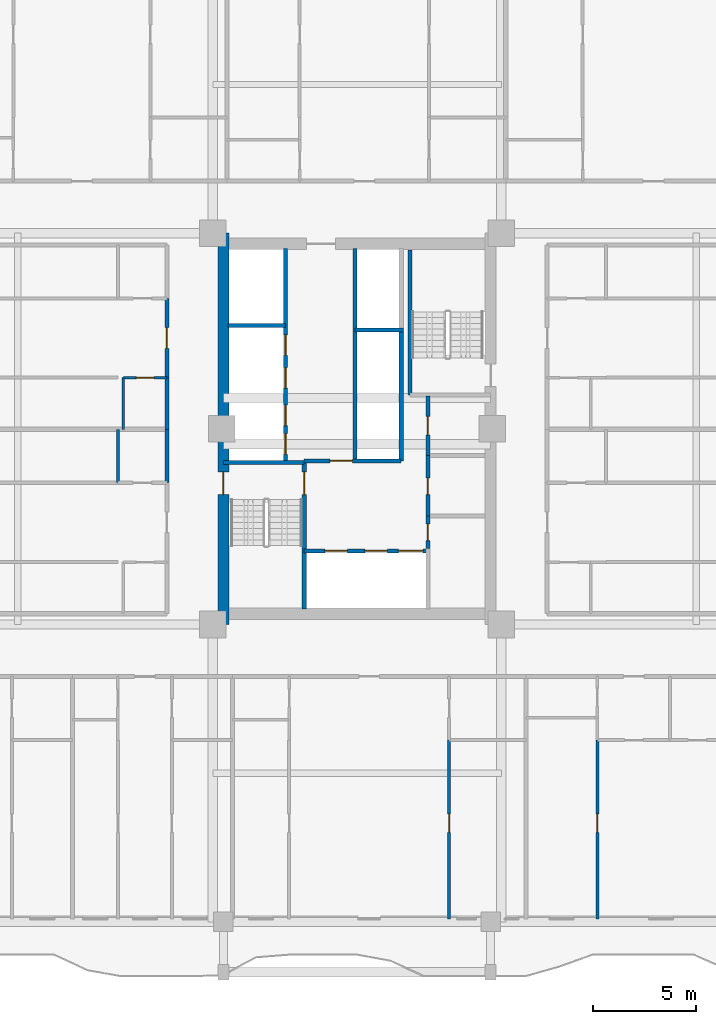
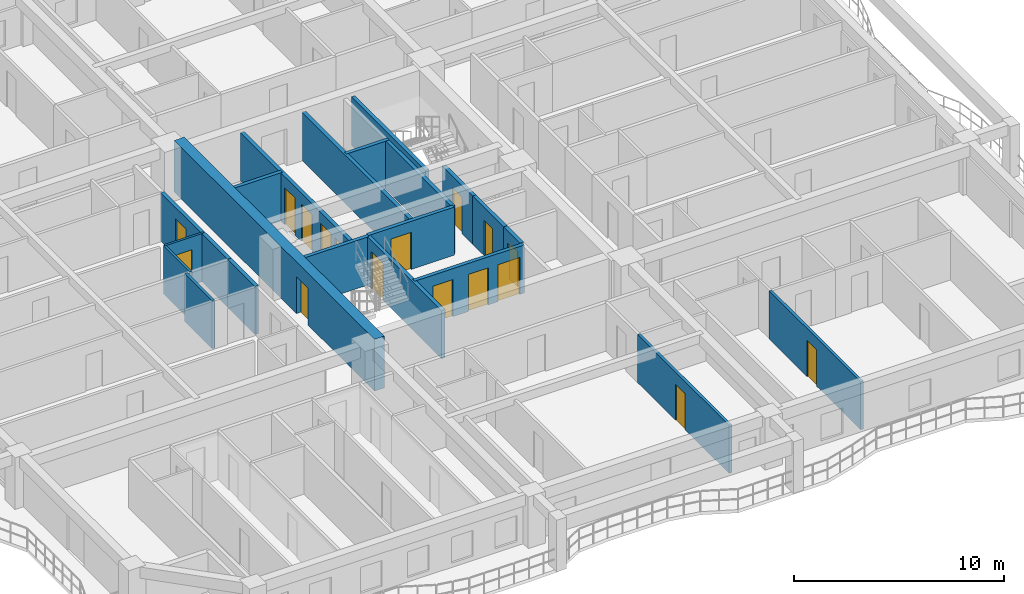
# One storey, part 4 of 15: 22 walls, 17 doors, 17 openings.
"""IFC4 building model written with IfcOpenShell, lengths in metres."""

from ifc_helpers import new_model, si_unit, direction, frame, frame_2d, origin, place, context, subcontext, project, spatial, rectangle, extrude, source, transform, mapped, material, layer, layer_set, type_object, element, fill, save


model = new_model("IFC4")

# Units and contexts
model_context = context("Model", 3, precision=1e-05, world=origin(), true_north=direction((0.0, 1.0)))
body_context = subcontext(model_context, "Body", "Model", "MODEL_VIEW")
ifc_project = project(units=[si_unit("LENGTHUNIT", "METRE"), si_unit("AREAUNIT", "SQUARE_METRE"), si_unit("VOLUMEUNIT", "CUBIC_METRE"), si_unit("PLANEANGLEUNIT", "RADIAN"), si_unit("MASSUNIT", "GRAM", prefix="KILO")], contexts=[model_context])

# Site, building, storey
site_placement = place(None, origin())
site = spatial("IfcSite", under=ifc_project, at=site_placement, CompositionType="ELEMENT")
building_placement = place(site_placement, origin())
building = spatial("IfcBuilding", under=site, at=building_placement, Name="Saelheon Loggia Tower", CompositionType="ELEMENT")
storey_placement = place(building_placement, frame((0.0, 0.0, 77.85009765625)))
storey = spatial("IfcBuildingStorey", under=building, at=storey_placement, Name="L24", CompositionType="ELEMENT", Elevation=77.85009765625)

# Wall, opening, door
ifc_material_1 = material(Name="Concrete C50/60", Category="concrete")
ifc_layer_1 = layer(ifc_material_1, 0.550048828125)
ifc_layer_set_1 = layer_set([ifc_layer_1], Name="Concrete C50/60")
wall_type_1 = type_object("IfcWallType", Name="Wall_CoreShear_550", PredefinedType="SHEAR", material=ifc_layer_set_1)
wall_1_placement = place(storey_placement, frame((31.5, 17.47998046875, 0.0), z_axis=(0.0, 0.0, 1.0), x_axis=(0.0, 1.0, 0.0)))
wall_1 = element("IfcWall", 1, at=wall_1_placement, inside=storey, type_object=wall_type_1, Name="L24 Core Shear Wall West", PredefinedType="SHEAR", context=body_context, shape_type="SweptSolid", body=[
    extrude(rectangle(XDim=19.0400390625, YDim=0.550048828125, at=frame_2d((9.52001953125, 0.0))), origin(), (0.0, 0.0, 1.0), 3.0),
])
opening_1_placement = place(wall_1_placement, frame((6.320068359375, 0.0, 0.0)))
opening_1 = element("IfcOpeningElement", 2, at=opening_1_placement, cuts=wall_1, Name="Opening D-FD2", PredefinedType="OPENING", context=body_context, shape_type="SweptSolid", body=[
    extrude(rectangle(XDim=1.10009765625, YDim=2.14990234375, at=frame_2d((0.550048828125, 1.074951171875))), frame((0.0, 0.287109375, 0.0), z_axis=(0.0, -1.0, 0.0), x_axis=(1.0, 0.0, 0.0)), (0.0, 0.0, 1.0), 0.573974609375),
])
ifc_material_2 = material(Name="Galvanised Steel Fire Door", Category="steel")
door_type_1 = type_object("IfcDoorType", Name="Door_Fire_FD60_1100", OperationType="NOTDEFINED", PredefinedType="DOOR", material=ifc_material_2)
shared_shape_1 = source(origin(), body_context, "Body", "SweptSolid", [
    extrude(rectangle(XDim=1.10009765625, YDim=2.14990234375, at=frame_2d((0.550048828125, 1.074951171875))), frame((0.0, 0.02490234375, 0.0), z_axis=(0.0, -1.0, 0.0), x_axis=(1.0, 0.0, 0.0)), (0.0, 0.0, 1.0), 0.050048828125),
])
door_1_placement = place(opening_1_placement, origin())
door_1 = element("IfcDoor", 3, at=door_1_placement, inside=storey, type_object=door_type_1, Name="L24 Stair ST1 Corridor Door", OperationType="SINGLE_SWING_LEFT", OverallHeight=2.14990234375, OverallWidth=1.10009765625, PredefinedType="DOOR", context=body_context, shape_type="MappedRepresentation", body=[
    mapped(shared_shape_1, transform((0.0, 0.0, 0.0), scale=1.0)),
])
fill(opening_1, door_1)

ifc_material_3 = material(Name="Lightweight Autoclaved Aerated Concrete Block and Acoustic Gypsum", Category="concrete")
ifc_layer_2 = layer(ifc_material_3, 0.14990234375)
ifc_layer_set_2 = layer_set([ifc_layer_2], Name="Lightweight Autoclaved Aerated Concrete Block and Acoustic Gypsum")
wall_type_2 = type_object("IfcWallType", Name="Wall_Part_150", PredefinedType="PARTITIONING", material=ifc_layer_set_2)
wall_2_placement = place(storey_placement, frame((42.47998046875, 11.85009765625, 0.0), z_axis=(0.0, 0.0, 1.0), x_axis=(0.0, -1.0, 0.0)))
wall_2 = element("IfcWall", 4, at=wall_2_placement, inside=storey, type_object=wall_type_2, Name="L24 S Partition U34", PredefinedType="PARTITIONING", context=body_context, shape_type="SweptSolid", body=[
    extrude(rectangle(XDim=8.7001953125, YDim=0.14990234375, at=frame_2d((4.35009765625, 0.0))), origin(), (0.0, 0.0, 1.0), 2.789794921875),
])
opening_2_placement = place(wall_2_placement, frame((3.594970703125, 0.0, 0.0)))
opening_2 = element("IfcOpeningElement", 5, at=opening_2_placement, cuts=wall_2, Name="Opening D-IN2", PredefinedType="OPENING", context=body_context, shape_type="SweptSolid", body=[
    extrude(rectangle(XDim=0.89990234375, YDim=2.10009765625, at=frame_2d((0.449951171875, 1.050048828125))), frame((0.0, 0.0869140625, 0.0), z_axis=(0.0, -1.0, 0.0), x_axis=(1.0, 0.0, 0.0)), (0.0, 0.0, 1.0), 0.173828125),
])
ifc_material_4 = material(Name="Engineered Oak Flush Door", Category="timber")
door_type_2 = type_object("IfcDoorType", Name="Door_Int_900", OperationType="NOTDEFINED", PredefinedType="DOOR", material=ifc_material_4)
shared_shape_2 = source(origin(), body_context, "Body", "SweptSolid", [
    extrude(rectangle(XDim=0.89990234375, YDim=2.10009765625, at=frame_2d((0.449951171875, 1.050048828125))), frame((0.0, 0.02490234375, 0.0), z_axis=(0.0, -1.0, 0.0), x_axis=(1.0, 0.0, 0.0)), (0.0, 0.0, 1.0), 0.050048828125),
])
door_2_placement = place(opening_2_placement, origin())
door_2 = element("IfcDoor", 6, at=door_2_placement, inside=storey, type_object=door_type_2, Name="Unit U03 Bedroom 1 Door", OperationType="SINGLE_SWING_RIGHT", OverallHeight=2.10009765625, OverallWidth=0.89990234375, PredefinedType="DOOR", context=body_context, shape_type="MappedRepresentation", body=[
    mapped(shared_shape_2, transform((0.0, 0.0, 0.0), scale=1.0)),
])
fill(opening_2, door_2)

wall_3_placement = place(storey_placement, frame((49.70068359375, 11.85009765625, 0.0), z_axis=(0.0, 0.0, 1.0), x_axis=(0.0, -1.0, 0.0)))
wall_3 = element("IfcWall", 7, at=wall_3_placement, inside=storey, type_object=wall_type_2, Name="L24 S Partition U47", PredefinedType="PARTITIONING", context=body_context, shape_type="SweptSolid", body=[
    extrude(rectangle(XDim=8.7001953125, YDim=0.14990234375, at=frame_2d((4.35009765625, 0.0))), origin(), (0.0, 0.0, 1.0), 2.789794921875),
])
opening_3_placement = place(wall_3_placement, frame((3.594970703125, 0.0, 0.0)))
opening_3 = element("IfcOpeningElement", 8, at=opening_3_placement, cuts=wall_3, Name="Opening D-IN2", PredefinedType="OPENING", context=body_context, shape_type="SweptSolid", body=[
    extrude(rectangle(XDim=0.89990234375, YDim=2.10009765625, at=frame_2d((0.449951171875, 1.050048828125))), frame((0.0, 0.0869140625, 0.0), z_axis=(0.0, -1.0, 0.0), x_axis=(1.0, 0.0, 0.0)), (0.0, 0.0, 1.0), 0.173828125),
])
door_3_placement = place(opening_3_placement, origin())
door_3 = element("IfcDoor", 9, at=door_3_placement, inside=storey, type_object=door_type_2, Name="Unit U04 Bedroom 2 Door", OperationType="SINGLE_SWING_LEFT", OverallHeight=2.10009765625, OverallWidth=0.89990234375, PredefinedType="DOOR", context=body_context, shape_type="MappedRepresentation", body=[
    mapped(shared_shape_2, transform((0.0, 0.0, 0.0), scale=1.0)),
])
fill(opening_3, door_3)

# Walls
wall_4_placement = place(storey_placement, frame((26.3701171875, 24.375, 0.0), z_axis=(0.0, 0.0, 1.0), x_axis=(0.0, 1.0, 0.0)))
element("IfcWall", 10, at=wall_4_placement, inside=storey, type_object=wall_type_2, Name="L24 W Partition V07", PredefinedType="PARTITIONING", context=body_context, shape_type="SweptSolid", body=[
    extrude(rectangle(XDim=2.60009765625, YDim=0.14990234375, at=frame_2d((1.300048828125, 0.0))), origin(), (0.0, 0.0, 1.0), 2.789794921875),
])
ifc_material_5 = material(Name="Double Acoustic Stud and Fireboard Partition", Category="gypsum")
ifc_layer_3 = layer(ifc_material_5, 0.199951171875)
ifc_layer_set_3 = layer_set([ifc_layer_3], Name="Double Acoustic Stud and Fireboard Partition")
wall_type_3 = type_object("IfcWallType", Name="Wall_Party_200", PredefinedType="PARTITIONING", material=ifc_layer_set_3)
wall_5_placement = place(storey_placement, frame((28.75, 24.375, 0.0), z_axis=(0.0, 0.0, 1.0), x_axis=(0.0, 1.0, 0.0)))
element("IfcWall", 11, at=wall_5_placement, inside=storey, type_object=wall_type_3, Name="L24 W Partition V05", PredefinedType="PARTITIONING", context=body_context, shape_type="SweptSolid", body=[
    extrude(rectangle(XDim=2.60009765625, YDim=0.199951171875, at=frame_2d((1.300048828125, 0.0))), origin(), (0.0, 0.0, 1.0), 2.789794921875),
])
wall_6_placement = place(storey_placement, frame((28.75, 26.97509765625, 0.0), z_axis=(0.0, 0.0, 1.0), x_axis=(0.0, 1.0, 0.0)))
element("IfcWall", 12, at=wall_6_placement, inside=storey, type_object=wall_type_3, Name="L24 W Partition V13", PredefinedType="PARTITIONING", context=body_context, shape_type="SweptSolid", body=[
    extrude(rectangle(XDim=2.512939453125, YDim=0.199951171875, at=frame_2d((1.25634765625, 0.0))), origin(), (0.0, 0.0, 1.0), 2.789794921875),
])

# Wall, opening, door
wall_7_placement = place(storey_placement, frame((28.75, 29.488037109375, 0.0), z_axis=(0.0, 0.0, 1.0), x_axis=(0.0, 1.0, 0.0)))
wall_7 = element("IfcWall", 13, at=wall_7_placement, inside=storey, type_object=wall_type_3, Name="L24 W Partition V14", PredefinedType="PARTITIONING", context=body_context, shape_type="SweptSolid", body=[
    extrude(rectangle(XDim=3.862060546875, YDim=0.199951171875, at=frame_2d((1.93115234375, 0.0))), origin(), (0.0, 0.0, 1.0), 2.789794921875),
])
opening_4_placement = place(wall_7_placement, frame((1.430908203125, 0.0, 0.0)))
opening_4 = element("IfcOpeningElement", 14, at=opening_4_placement, cuts=wall_7, Name="Opening D-FD1", PredefinedType="OPENING", context=body_context, shape_type="SweptSolid", body=[
    extrude(rectangle(XDim=1.0, YDim=2.14990234375, at=frame_2d((0.5, 1.074951171875))), frame((0.0, 0.112060546875, 0.0), z_axis=(0.0, -1.0, 0.0), x_axis=(1.0, 0.0, 0.0)), (0.0, 0.0, 1.0), 0.223876953125),
])
ifc_material_6 = material(Name="Fire-Rated Engineered Timber Entrance Door", Category="wood")
door_type_3 = type_object("IfcDoorType", Name="Door_Flat_FD30S", OperationType="NOTDEFINED", PredefinedType="DOOR", material=ifc_material_6)
shared_shape_3 = source(origin(), body_context, "Body", "SweptSolid", [
    extrude(rectangle(XDim=1.0, YDim=2.14990234375, at=frame_2d((0.5, 1.074951171875))), frame((0.0, 0.02490234375, 0.0), z_axis=(0.0, -1.0, 0.0), x_axis=(1.0, 0.0, 0.0)), (0.0, 0.0, 1.0), 0.050048828125),
])
door_4_placement = place(opening_4_placement, origin())
door_4 = element("IfcDoor", 15, at=door_4_placement, inside=storey, type_object=door_type_3, Name="Unit U09 Entrance Door", OperationType="SINGLE_SWING_LEFT", OverallHeight=2.14990234375, OverallWidth=1.0, PredefinedType="DOOR", context=body_context, shape_type="MappedRepresentation", body=[
    mapped(shared_shape_3, transform((0.0, 0.0, 0.0), scale=1.0)),
])
fill(opening_4, door_4)

ifc_material_7 = material(Name="Concrete C40/50", Category="concrete")
ifc_layer_4 = layer(ifc_material_7, 0.199951171875)
ifc_layer_set_4 = layer_set([ifc_layer_4], Name="Concrete C40/50")
wall_type_4 = type_object("IfcWallType", Name="Wall_Shaft_200", PredefinedType="PARTITIONING", material=ifc_layer_set_4)
wall_8_placement = place(storey_placement, frame((41.449951171875, 21.179931640625, 0.0), z_axis=(0.0, 0.0, 1.0), x_axis=(0.0, 1.0, 0.0)))
wall_8 = element("IfcWall", 16, at=wall_8_placement, inside=storey, type_object=wall_type_4, Name="CW-INT-L24-BOH-W1", PredefinedType="PARTITIONING", context=body_context, shape_type="SweptSolid", body=[
    extrude(rectangle(XDim=1.570068359375, YDim=0.199951171875, at=frame_2d((0.78515625, 0.0))), origin(), (0.0, 0.0, 1.0), 2.789794921875),
])
opening_5_placement = place(wall_8_placement, frame((0.3798828125, 0.0, 0.0)))
opening_5 = element("IfcOpeningElement", 17, at=opening_5_placement, cuts=wall_8, Name="Opening D-ST1", PredefinedType="OPENING", context=body_context, shape_type="SweptSolid", body=[
    extrude(rectangle(XDim=0.800048828125, YDim=2.050048828125, at=frame_2d((0.39990234375, 1.02490234375))), frame((0.0, 0.112060546875, 0.0), z_axis=(0.0, -1.0, 0.0), x_axis=(1.0, 0.0, 0.0)), (0.0, 0.0, 1.0), 0.223876953125),
])
ifc_material_8 = material(Name="Powder-Coated Steel Store Door", Category="steel")
door_type_4 = type_object("IfcDoorType", Name="Door_Store_800", OperationType="NOTDEFINED", PredefinedType="DOOR", material=ifc_material_8)
shared_shape_4 = source(origin(), body_context, "Body", "SweptSolid", [
    extrude(rectangle(XDim=0.800048828125, YDim=2.050048828125, at=frame_2d((0.39990234375, 1.02490234375))), frame((0.0, 0.02490234375, 0.0), z_axis=(0.0, -1.0, 0.0), x_axis=(1.0, 0.0, 0.0)), (0.0, 0.0, 1.0), 0.050048828125),
])
door_5_placement = place(opening_5_placement, origin())
door_5 = element("IfcDoor", 18, at=door_5_placement, inside=storey, type_object=door_type_4, Name="L24 Cleaner Store Door", OperationType="SINGLE_SWING_LEFT", OverallHeight=2.050048828125, OverallWidth=0.800048828125, PredefinedType="DOOR", context=body_context, shape_type="MappedRepresentation", body=[
    mapped(shared_shape_4, transform((0.0, 0.0, 0.0), scale=1.0)),
])
fill(opening_5, door_5)

wall_9_placement = place(storey_placement, frame((41.449951171875, 22.75, 0.0), z_axis=(0.0, 0.0, 1.0), x_axis=(0.0, 1.0, 0.0)))
wall_9 = element("IfcWall", 19, at=wall_9_placement, inside=storey, type_object=wall_type_4, Name="CW-INT-L24-BOH-W2", PredefinedType="PARTITIONING", context=body_context, shape_type="SweptSolid", body=[
    extrude(rectangle(XDim=2.949951171875, YDim=0.199951171875, at=frame_2d((1.47509765625, 0.0))), origin(), (0.0, 0.0, 1.0), 2.789794921875),
])
opening_6_placement = place(wall_9_placement, frame((1.050048828125, 0.0, 0.0)))
opening_6 = element("IfcOpeningElement", 20, at=opening_6_placement, cuts=wall_9, Name="Opening D-ST1", PredefinedType="OPENING", context=body_context, shape_type="SweptSolid", body=[
    extrude(rectangle(XDim=0.800048828125, YDim=2.050048828125, at=frame_2d((0.39990234375, 1.02490234375))), frame((0.0, 0.112060546875, 0.0), z_axis=(0.0, -1.0, 0.0), x_axis=(1.0, 0.0, 0.0)), (0.0, 0.0, 1.0), 0.223876953125),
])
door_6_placement = place(opening_6_placement, origin())
door_6 = element("IfcDoor", 21, at=door_6_placement, inside=storey, type_object=door_type_4, Name="L24 Electrical Riser Door", OperationType="SINGLE_SWING_RIGHT", OverallHeight=2.050048828125, OverallWidth=0.800048828125, PredefinedType="DOOR", context=body_context, shape_type="MappedRepresentation", body=[
    mapped(shared_shape_4, transform((0.0, 0.0, 0.0), scale=1.0)),
])
fill(opening_6, door_6)

wall_10_placement = place(storey_placement, frame((41.449951171875, 25.699951171875, 0.0), z_axis=(0.0, 0.0, 1.0), x_axis=(0.0, 1.0, 0.0)))
wall_10 = element("IfcWall", 22, at=wall_10_placement, inside=storey, type_object=wall_type_4, Name="CW-INT-L24-BOH-W3", PredefinedType="PARTITIONING", context=body_context, shape_type="SweptSolid", body=[
    extrude(rectangle(XDim=2.900146484375, YDim=0.199951171875, at=frame_2d((1.4501953125, 0.0))), origin(), (0.0, 0.0, 1.0), 2.789794921875),
])
opening_7_placement = place(wall_10_placement, frame((1.0, 0.0, 0.0)))
opening_7 = element("IfcOpeningElement", 23, at=opening_7_placement, cuts=wall_10, Name="Opening D-RS1", PredefinedType="OPENING", context=body_context, shape_type="SweptSolid", body=[
    extrude(rectangle(XDim=0.89990234375, YDim=2.10009765625, at=frame_2d((0.449951171875, 1.050048828125))), frame((0.0, 0.112060546875, 0.0), z_axis=(0.0, -1.0, 0.0), x_axis=(1.0, 0.0, 0.0)), (0.0, 0.0, 1.0), 0.223876953125),
])
ifc_material_9 = material(Name="Galvanised Steel Riser Access Door", Category="steel")
door_type_5 = type_object("IfcDoorType", Name="Door_Riser_FD60", OperationType="NOTDEFINED", PredefinedType="DOOR", material=ifc_material_9)
door_7_placement = place(opening_7_placement, origin())
door_7 = element("IfcDoor", 24, at=door_7_placement, inside=storey, type_object=door_type_5, Name="L24 Floor IT Room Door", OperationType="SINGLE_SWING_LEFT", OverallHeight=2.10009765625, OverallWidth=0.89990234375, PredefinedType="DOOR", context=body_context, shape_type="MappedRepresentation", body=[
    mapped(shared_shape_2, transform((0.0, 0.0, 0.0), scale=1.0)),
])
fill(opening_7, door_7)

# Wall
wall_11_placement = place(storey_placement, frame((40.14990234375, 25.43994140625, 0.0), z_axis=(0.0, 0.0, 1.0), x_axis=(0.0, 1.0, 0.0)))
element("IfcWall", 25, at=wall_11_placement, inside=storey, type_object=wall_type_4, Name="L24 Core Service Passage West Wall", PredefinedType="PARTITIONING", context=body_context, shape_type="SweptSolid", body=[
    extrude(rectangle(XDim=6.360107421875, YDim=0.199951171875, at=frame_2d((3.18017578125, 0.0))), origin(), (0.0, 0.0, 1.0), 2.789794921875),
])

# Wall, openings, doors
wall_12_placement = place(storey_placement, frame((35.429931640625, 21.06005859375, 0.0), z_axis=(0.0, 0.0, 1.0), x_axis=(1.0, 0.0, 0.0)))
wall_12 = element("IfcWall", 26, at=wall_12_placement, inside=storey, type_object=wall_type_4, Name="L24 Firefighting Lift Shaft Front Wall", PredefinedType="PARTITIONING", context=body_context, shape_type="SweptSolid", body=[
    extrude(rectangle(XDim=6.02001953125, YDim=0.199951171875, at=frame_2d((3.010009765625, 0.0))), origin(), (0.0, 0.0, 1.0), 2.789794921875),
])
opening_8_placement = place(wall_12_placement, frame((1.0, 0.0, 0.0)))
opening_8 = element("IfcOpeningElement", 27, at=opening_8_placement, cuts=wall_12, Name="Opening LD2", PredefinedType="OPENING", context=body_context, shape_type="SweptSolid", body=[
    extrude(rectangle(XDim=1.10009765625, YDim=2.14990234375, at=frame_2d((0.550048828125, 1.074951171875))), frame((0.0, 0.112060546875, 0.0), z_axis=(0.0, -1.0, 0.0), x_axis=(1.0, 0.0, 0.0)), (0.0, 0.0, 1.0), 0.223876953125),
])
opening_9_placement = place(wall_12_placement, frame((2.949951171875, 0.0, 0.0)))
opening_9 = element("IfcOpeningElement", 28, at=opening_9_placement, cuts=wall_12, Name="Opening LD2", PredefinedType="OPENING", context=body_context, shape_type="SweptSolid", body=[
    extrude(rectangle(XDim=1.10009765625, YDim=2.14990234375, at=frame_2d((0.550048828125, 1.074951171875))), frame((0.0, 0.112060546875, 0.0), z_axis=(0.0, -1.0, 0.0), x_axis=(1.0, 0.0, 0.0)), (0.0, 0.0, 1.0), 0.223876953125),
])
opening_10_placement = place(wall_12_placement, frame((4.580078125, 0.0, 0.0)))
opening_10 = element("IfcOpeningElement", 29, at=opening_10_placement, cuts=wall_12, Name="Opening LD3", PredefinedType="OPENING", context=body_context, shape_type="SweptSolid", body=[
    extrude(rectangle(XDim=1.199951171875, YDim=2.14990234375, at=frame_2d((0.60009765625, 1.074951171875))), frame((0.0, 0.112060546875, 0.0), z_axis=(0.0, -1.0, 0.0), x_axis=(1.0, 0.0, 0.0)), (0.0, 0.0, 1.0), 0.223876953125),
])
ifc_material_10 = material(Name="Firefighting Stainless Steel 316 Landing Door", Category="steel")
door_type_6 = type_object("IfcDoorType", Name="Door_Lift_LD2", OperationType="DOUBLE_DOOR_SLIDING", PredefinedType="DOOR", material=ifc_material_10)
door_8_placement = place(opening_8_placement, origin())
door_8 = element("IfcDoor", 30, at=door_8_placement, inside=storey, type_object=door_type_6, Name="L24 FF1 Landing Door", OperationType="DOUBLE_DOOR_SLIDING", OverallHeight=2.14990234375, OverallWidth=1.10009765625, PredefinedType="DOOR", context=body_context, shape_type="MappedRepresentation", body=[
    mapped(shared_shape_1, transform((0.0, 0.0, 0.0), scale=1.0)),
])
fill(opening_8, door_8)
door_9_placement = place(opening_9_placement, origin())
door_9 = element("IfcDoor", 31, at=door_9_placement, inside=storey, type_object=door_type_6, Name="L24 FF2 Landing Door", OperationType="DOUBLE_DOOR_SLIDING", OverallHeight=2.14990234375, OverallWidth=1.10009765625, PredefinedType="DOOR", context=body_context, shape_type="MappedRepresentation", body=[
    mapped(shared_shape_1, transform((0.0, 0.0, 0.0), scale=1.0)),
])
fill(opening_9, door_9)
ifc_material_11 = material(Name="Stretcher Lift Stainless Steel 304 Landing Door", Category="steel")
door_type_7 = type_object("IfcDoorType", Name="Door_Lift_LD3", OperationType="DOUBLE_DOOR_SLIDING", PredefinedType="DOOR", material=ifc_material_11)
shared_shape_5 = source(origin(), body_context, "Body", "SweptSolid", [
    extrude(rectangle(XDim=1.199951171875, YDim=2.14990234375, at=frame_2d((0.60009765625, 1.074951171875))), frame((0.0, 0.02490234375, 0.0), z_axis=(0.0, -1.0, 0.0), x_axis=(1.0, 0.0, 0.0)), (0.0, 0.0, 1.0), 0.050048828125),
])
door_10_placement = place(opening_10_placement, origin())
door_10 = element("IfcDoor", 32, at=door_10_placement, inside=storey, type_object=door_type_7, Name="L24 SV1 Landing Door", OperationType="DOUBLE_DOOR_SLIDING", OverallHeight=2.14990234375, OverallWidth=1.199951171875, PredefinedType="DOOR", context=body_context, shape_type="MappedRepresentation", body=[
    mapped(shared_shape_5, transform((0.0, 0.0, 0.0), scale=1.0)),
])
fill(opening_10, door_10)

# Wall, opening, door
wall_13_placement = place(storey_placement, frame((35.429931640625, 25.43994140625, 0.0), z_axis=(0.0, 0.0, 1.0), x_axis=(1.0, 0.0, 0.0)))
wall_13 = element("IfcWall", 33, at=wall_13_placement, inside=storey, type_object=wall_type_4, Name="L24 Firefighting Lobby Compartment Wall", PredefinedType="PARTITIONING", context=body_context, shape_type="SweptSolid", body=[
    extrude(rectangle(XDim=4.719970703125, YDim=0.199951171875, at=frame_2d((2.35986328125, 0.0))), origin(), (0.0, 0.0, 1.0), 2.789794921875),
])
opening_11_placement = place(wall_13_placement, frame((1.25, 0.0, 0.0)))
opening_11 = element("IfcOpeningElement", 34, at=opening_11_placement, cuts=wall_13, Name="Opening D-FD2", PredefinedType="OPENING", context=body_context, shape_type="SweptSolid", body=[
    extrude(rectangle(XDim=1.10009765625, YDim=2.14990234375, at=frame_2d((0.550048828125, 1.074951171875))), frame((0.0, 0.112060546875, 0.0), z_axis=(0.0, -1.0, 0.0), x_axis=(1.0, 0.0, 0.0)), (0.0, 0.0, 1.0), 0.223876953125),
])
door_11_placement = place(opening_11_placement, origin())
door_11 = element("IfcDoor", 35, at=door_11_placement, inside=storey, type_object=door_type_1, Name="L24 Firefighting Lobby Door", OperationType="SINGLE_SWING_RIGHT", OverallHeight=2.14990234375, OverallWidth=1.10009765625, PredefinedType="DOOR", context=body_context, shape_type="MappedRepresentation", body=[
    mapped(shared_shape_1, transform((0.0, 0.0, 0.0), scale=1.0)),
])
fill(opening_11, door_11)

# Wall, openings, doors
wall_14_placement = place(storey_placement, frame((34.52001953125, 25.43994140625, 0.0), z_axis=(0.0, 0.0, 1.0), x_axis=(0.0, 1.0, 0.0)))
wall_14 = element("IfcWall", 36, at=wall_14_placement, inside=storey, type_object=wall_type_4, Name="L24 West Passenger Lift Bank Wall", PredefinedType="PARTITIONING", context=body_context, shape_type="SweptSolid", body=[
    extrude(rectangle(XDim=10.340087890625, YDim=0.199951171875, at=frame_2d((5.169921875, 0.0))), origin(), (0.0, 0.0, 1.0), 2.789794921875),
])
opening_12_placement = place(wall_14_placement, frame((0.320068359375, 0.0, 0.0)))
opening_12 = element("IfcOpeningElement", 37, at=opening_12_placement, cuts=wall_14, Name="Opening LD1", PredefinedType="OPENING", context=body_context, shape_type="SweptSolid", body=[
    extrude(rectangle(XDim=1.0, YDim=2.14990234375, at=frame_2d((0.5, 1.074951171875))), frame((0.0, 0.112060546875, 0.0), z_axis=(0.0, -1.0, 0.0), x_axis=(1.0, 0.0, 0.0)), (0.0, 0.0, 1.0), 0.223876953125),
])
opening_13_placement = place(wall_14_placement, frame((1.7099609375, 0.0, 0.0)))
opening_13 = element("IfcOpeningElement", 38, at=opening_13_placement, cuts=wall_14, Name="Opening LD1", PredefinedType="OPENING", context=body_context, shape_type="SweptSolid", body=[
    extrude(rectangle(XDim=1.0, YDim=2.14990234375, at=frame_2d((0.5, 1.074951171875))), frame((0.0, 0.112060546875, 0.0), z_axis=(0.0, -1.0, 0.0), x_axis=(1.0, 0.0, 0.0)), (0.0, 0.0, 1.0), 0.223876953125),
])
opening_14_placement = place(wall_14_placement, frame((3.534912109375, 0.0, 0.0)))
opening_14 = element("IfcOpeningElement", 39, at=opening_14_placement, cuts=wall_14, Name="Opening LD1", PredefinedType="OPENING", context=body_context, shape_type="SweptSolid", body=[
    extrude(rectangle(XDim=1.0, YDim=2.14990234375, at=frame_2d((0.5, 1.074951171875))), frame((0.0, 0.112060546875, 0.0), z_axis=(0.0, -1.0, 0.0), x_axis=(1.0, 0.0, 0.0)), (0.0, 0.0, 1.0), 0.223876953125),
])
opening_15_placement = place(wall_14_placement, frame((5.135009765625, 0.0, 0.0)))
opening_15 = element("IfcOpeningElement", 40, at=opening_15_placement, cuts=wall_14, Name="Opening LD1", PredefinedType="OPENING", context=body_context, shape_type="SweptSolid", body=[
    extrude(rectangle(XDim=1.0, YDim=2.14990234375, at=frame_2d((0.5, 1.074951171875))), frame((0.0, 0.112060546875, 0.0), z_axis=(0.0, -1.0, 0.0), x_axis=(1.0, 0.0, 0.0)), (0.0, 0.0, 1.0), 0.223876953125),
])
ifc_material_12 = material(Name="Brushed Stainless Steel 304 Landing Door", Category="steel")
door_type_8 = type_object("IfcDoorType", Name="Door_Lift_LD1", OperationType="DOUBLE_DOOR_SLIDING", PredefinedType="DOOR", material=ifc_material_12)
door_12_placement = place(opening_12_placement, origin())
door_12 = element("IfcDoor", 41, at=door_12_placement, inside=storey, type_object=door_type_8, Name="L24 PL1 Landing Door", OperationType="DOUBLE_DOOR_SLIDING", OverallHeight=2.14990234375, OverallWidth=1.0, PredefinedType="DOOR", context=body_context, shape_type="MappedRepresentation", body=[
    mapped(shared_shape_3, transform((0.0, 0.0, 0.0), scale=1.0)),
])
fill(opening_12, door_12)
door_13_placement = place(opening_13_placement, origin())
door_13 = element("IfcDoor", 42, at=door_13_placement, inside=storey, type_object=door_type_8, Name="L24 PL2 Landing Door", OperationType="DOUBLE_DOOR_SLIDING", OverallHeight=2.14990234375, OverallWidth=1.0, PredefinedType="DOOR", context=body_context, shape_type="MappedRepresentation", body=[
    mapped(shared_shape_3, transform((0.0, 0.0, 0.0), scale=1.0)),
])
fill(opening_13, door_13)
door_14_placement = place(opening_14_placement, origin())
door_14 = element("IfcDoor", 43, at=door_14_placement, inside=storey, type_object=door_type_8, Name="L24 PL3 Landing Door", OperationType="DOUBLE_DOOR_SLIDING", OverallHeight=2.14990234375, OverallWidth=1.0, PredefinedType="DOOR", context=body_context, shape_type="MappedRepresentation", body=[
    mapped(shared_shape_3, transform((0.0, 0.0, 0.0), scale=1.0)),
])
fill(opening_14, door_14)
door_15_placement = place(opening_15_placement, origin())
door_15 = element("IfcDoor", 44, at=door_15_placement, inside=storey, type_object=door_type_8, Name="L24 PL4 Landing Door", OperationType="DOUBLE_DOOR_SLIDING", OverallHeight=2.14990234375, OverallWidth=1.0, PredefinedType="DOOR", context=body_context, shape_type="MappedRepresentation", body=[
    mapped(shared_shape_3, transform((0.0, 0.0, 0.0), scale=1.0)),
])
fill(opening_15, door_15)

# Walls
wall_15_placement = place(storey_placement, frame((31.719970703125, 32.02001953125, 0.0), z_axis=(0.0, 0.0, 1.0), x_axis=(1.0, 0.0, 0.0)))
element("IfcWall", 45, at=wall_15_placement, inside=storey, type_object=wall_type_4, Name="L24 West High-Rise Shaft Divider", PredefinedType="PARTITIONING", context=body_context, shape_type="SweptSolid", body=[
    extrude(rectangle(XDim=2.800048828125, YDim=0.199951171875, at=frame_2d((1.39990234375, 0.0))), origin(), (0.0, 0.0, 1.0), 2.789794921875),
])
wall_16_placement = place(storey_placement, frame((37.89990234375, 25.43994140625, 0.0), z_axis=(0.0, 0.0, 1.0), x_axis=(0.0, 1.0, 0.0)))
element("IfcWall", 46, at=wall_16_placement, inside=storey, type_object=wall_type_4, Name="L24 East Passenger Lift Bank Wall", PredefinedType="PARTITIONING", context=body_context, shape_type="SweptSolid", body=[
    extrude(rectangle(XDim=10.340087890625, YDim=0.199951171875, at=frame_2d((5.169921875, 0.0))), origin(), (0.0, 0.0, 1.0), 2.789794921875),
])
wall_17_placement = place(storey_placement, frame((37.89990234375, 31.800048828125, 0.0), z_axis=(0.0, 0.0, 1.0), x_axis=(1.0, 0.0, 0.0)))
element("IfcWall", 47, at=wall_17_placement, inside=storey, type_object=wall_type_4, Name="L24 East High-Rise Shaft Divider", PredefinedType="PARTITIONING", context=body_context, shape_type="SweptSolid", body=[
    extrude(rectangle(XDim=2.35009765625, YDim=0.199951171875, at=frame_2d((1.175048828125, 0.0))), origin(), (0.0, 0.0, 1.0), 2.789794921875),
])

# Wall, opening, door
ifc_material_13 = material(Name="Concrete C45/55", Category="concrete")
ifc_layer_5 = layer(ifc_material_13, 0.199951171875)
ifc_layer_set_5 = layer_set([ifc_layer_5], Name="Concrete C45/55")
wall_type_5 = type_object("IfcWallType", Name="Wall_StairShaft_RC200", PredefinedType="SOLIDWALL", material=ifc_layer_set_5)
wall_18_placement = place(storey_placement, frame((35.429931640625, 18.219970703125, 0.0), z_axis=(0.0, 0.0, 1.0), x_axis=(0.0, 1.0, 0.0)))
wall_18 = element("IfcWall", 48, at=wall_18_placement, inside=storey, type_object=wall_type_5, Name="L24 Stair ST1 Shaft Wall", PredefinedType="SOLIDWALL", context=body_context, shape_type="SweptSolid", body=[
    extrude(rectangle(XDim=7.219970703125, YDim=0.199951171875, at=frame_2d((3.60986328125, 0.0))), origin(), (0.0, 0.0, 1.0), 2.789794921875),
])
opening_16_placement = place(wall_18_placement, frame((6.68017578125, 0.0, 0.0), z_axis=(0.0, 0.0, 1.0), x_axis=(-1.0, 0.0, 0.0)))
opening_16 = element("IfcOpeningElement", 49, at=opening_16_placement, cuts=wall_18, Name="Opening D-FD2", PredefinedType="OPENING", context=body_context, shape_type="SweptSolid", body=[
    extrude(rectangle(XDim=1.10009765625, YDim=2.14990234375, at=frame_2d((0.550048828125, 1.074951171875))), frame((0.0, 0.112060546875, 0.0), z_axis=(0.0, -1.0, 0.0), x_axis=(1.0, 0.0, 0.0)), (0.0, 0.0, 1.0), 0.223876953125),
])
door_16_placement = place(opening_16_placement, origin())
door_16 = element("IfcDoor", 50, at=door_16_placement, inside=storey, type_object=door_type_1, Name="L24 Stair ST1 Lobby Door", OperationType="SINGLE_SWING_LEFT", OverallHeight=2.14990234375, OverallWidth=1.10009765625, PredefinedType="DOOR", context=body_context, shape_type="MappedRepresentation", body=[
    mapped(shared_shape_1, transform((0.0, 0.0, 0.0), scale=1.0)),
])
fill(opening_16, door_16)

# Walls
wall_19_placement = place(storey_placement, frame((31.5, 25.35009765625, 0.0), z_axis=(0.0, 0.0, 1.0), x_axis=(1.0, 0.0, 0.0)))
element("IfcWall", 51, at=wall_19_placement, inside=storey, type_object=wall_type_5, Name="L24 Stair ST1 North Wall", PredefinedType="SOLIDWALL", context=body_context, shape_type="SweptSolid", body=[
    extrude(rectangle(XDim=3.929931640625, YDim=0.199951171875, at=frame_2d((1.96484375, 0.0))), origin(), (0.0, 0.0, 1.0), 2.789794921875),
])
wall_20_placement = place(storey_placement, frame((40.570068359375, 28.64990234375, 0.0), z_axis=(0.0, 0.0, 1.0), x_axis=(0.0, 1.0, 0.0)))
element("IfcWall", 52, at=wall_20_placement, inside=storey, type_object=wall_type_5, Name="L24 Stair ST2 Shaft Wall", PredefinedType="SOLIDWALL", context=body_context, shape_type="SweptSolid", body=[
    extrude(rectangle(XDim=7.050048828125, YDim=0.199951171875, at=frame_2d((3.52490234375, 0.0))), origin(), (0.0, 0.0, 1.0), 2.789794921875),
])
ifc_material_14 = material(Name="Moisture-Resistant Cement Board Partition", Category="gypsum")
ifc_layer_6 = layer(ifc_material_14, 0.1201171875)
ifc_layer_set_6 = layer_set([ifc_layer_6], Name="Moisture-Resistant Cement Board Partition")
wall_type_6 = type_object("IfcWallType", Name="Wall_WetPart_120", PredefinedType="PARTITIONING", material=ifc_layer_set_6)
wall_21_placement = place(storey_placement, frame((26.6298828125, 26.97509765625, 0.0), z_axis=(0.0, 0.0, 1.0), x_axis=(0.0, 1.0, 0.0)))
element("IfcWall", 53, at=wall_21_placement, inside=storey, type_object=wall_type_6, Name="L24 W Partition V16", PredefinedType="PARTITIONING", context=body_context, shape_type="SweptSolid", body=[
    extrude(rectangle(XDim=2.512939453125, YDim=0.1201171875, at=frame_2d((1.25634765625, 0.0))), origin(), (0.0, 0.0, 1.0), 2.789794921875),
])

# Wall, opening, door
wall_22_placement = place(storey_placement, frame((28.75, 29.488037109375, 0.0), z_axis=(0.0, 0.0, 1.0), x_axis=(-1.0, 0.0, 0.0)))
wall_22 = element("IfcWall", 54, at=wall_22_placement, inside=storey, type_object=wall_type_6, Name="L24 W Partition U18", PredefinedType="PARTITIONING", context=body_context, shape_type="SweptSolid", body=[
    extrude(rectangle(XDim=2.1201171875, YDim=0.1201171875, at=frame_2d((1.06005859375, 0.0))), origin(), (0.0, 0.0, 1.0), 2.789794921875),
])
opening_17_placement = place(wall_22_placement, frame((0.635009765625, 0.0, 0.0)))
opening_17 = element("IfcOpeningElement", 55, at=opening_17_placement, cuts=wall_22, Name="Opening D-BT1", PredefinedType="OPENING", context=body_context, shape_type="SweptSolid", body=[
    extrude(rectangle(XDim=0.85009765625, YDim=2.050048828125, at=frame_2d((0.425048828125, 1.02490234375))), frame((0.0, 0.072021484375, 0.0), z_axis=(0.0, -1.0, 0.0), x_axis=(1.0, 0.0, 0.0)), (0.0, 0.0, 1.0), 0.14404296875),
])
ifc_material_15 = material(Name="Moisture-Resistant Laminate Timber Door", Category="wood")
door_type_9 = type_object("IfcDoorType", Name="Door_Bath_850", OperationType="NOTDEFINED", PredefinedType="DOOR", material=ifc_material_15)
shared_shape_6 = source(origin(), body_context, "Body", "SweptSolid", [
    extrude(rectangle(XDim=0.85009765625, YDim=2.050048828125, at=frame_2d((0.425048828125, 1.02490234375))), frame((0.0, 0.02490234375, 0.0), z_axis=(0.0, -1.0, 0.0), x_axis=(1.0, 0.0, 0.0)), (0.0, 0.0, 1.0), 0.050048828125),
])
door_17_placement = place(opening_17_placement, origin())
door_17 = element("IfcDoor", 56, at=door_17_placement, inside=storey, type_object=door_type_9, Name="Unit U09 Bathroom Door", OperationType="SINGLE_SWING_RIGHT", OverallHeight=2.050048828125, OverallWidth=0.85009765625, PredefinedType="DOOR", context=body_context, shape_type="MappedRepresentation", body=[
    mapped(shared_shape_6, transform((0.0, 0.0, 0.0), scale=1.0)),
])
fill(opening_17, door_17)

save(model, "model.ifc")
